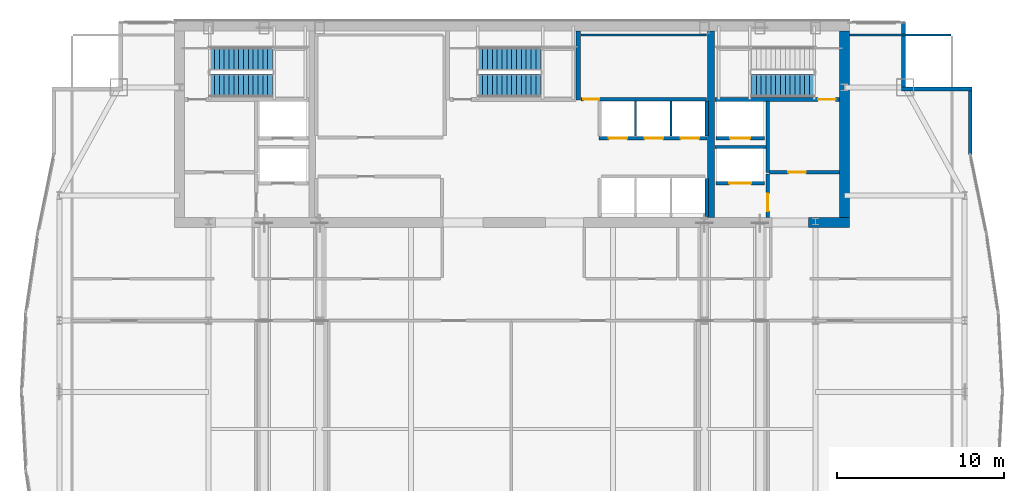
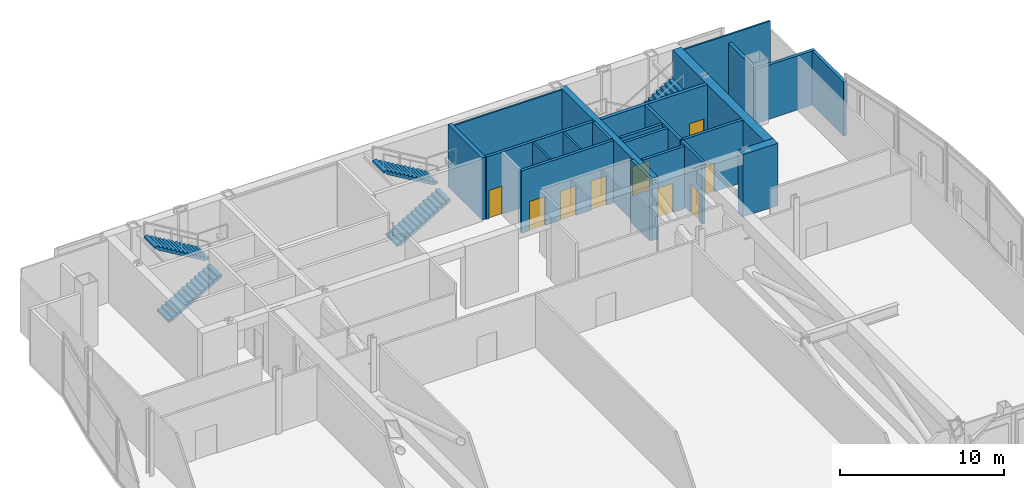
# One storey, part 29 of 32: 22 walls, 9 doors, 5 stair flights, 9 openings, 3 elements without a shape of their own.
"""IFC4 building model written with IfcOpenShell, lengths in metres."""

from ifc_helpers import new_model, si_unit, direction, frame, frame_2d, origin, place, context, subcontext, project, spatial, polyline, rectangle, outline, extrude, material, layer, layer_set, type_object, element, fill, aggregate, save


model = new_model("IFC4")

# Units and contexts
model_context = context("Model", 3, precision=1e-05, world=origin(), true_north=direction((0.0, 1.0)))
body_context = subcontext(model_context, "Body", "Model", "MODEL_VIEW")
ifc_project = project(units=[si_unit("LENGTHUNIT", "METRE"), si_unit("AREAUNIT", "SQUARE_METRE"), si_unit("VOLUMEUNIT", "CUBIC_METRE"), si_unit("PLANEANGLEUNIT", "RADIAN"), si_unit("MASSUNIT", "GRAM", prefix="KILO")], contexts=[model_context])

# Site, building, storey
site_placement = place(None, origin())
site = spatial("IfcSite", under=ifc_project, at=site_placement, CompositionType="ELEMENT")
building_placement = place(site_placement, origin())
building = spatial("IfcBuilding", under=site, at=building_placement, Name="Khoronbel Lancet Exchange", CompositionType="ELEMENT")
storey_placement = place(building_placement, frame((0.0, 0.0, 257.0)))
storey = spatial("IfcBuildingStorey", under=building, at=storey_placement, Name="L66", CompositionType="ELEMENT", Elevation=257.0)

# Walls
ifc_material_1 = material(Name="Concrete C60/75", Category="concrete")
ifc_layer_1 = layer(ifc_material_1, 0.60009765625, Name="Concrete C60/75")
ifc_layer_set_1 = layer_set([ifc_layer_1], Name="Concrete C60/75")
wall_type_1 = type_object("IfcWallType", Name="WL-CW3", PredefinedType="SHEAR", material=ifc_layer_set_1)
wall_1_placement = place(storey_placement, frame((56.39990234375, 53.10009765625, 0.0), z_axis=(0.0, 0.0, 1.0), x_axis=(0.0, -1.0, 0.0)))
element("IfcWall", 1, at=wall_1_placement, inside=storey, type_object=wall_type_1, Name="Level L66 rear core east shear wall", PredefinedType="SHEAR", context=body_context, shape_type="SweptSolid", body=[
    extrude(rectangle(XDim=11.2001953125, YDim=0.60009765625, at=frame_2d((5.60009765625, 0.0))), origin(), (0.0, 0.0, 1.0), 4.639892578125),
])
wall_2_placement = place(storey_placement, frame((56.699951171875, 41.60009765625, 0.0), z_axis=(0.0, 0.0, 1.0), x_axis=(-1.0, 0.0, 0.0)))
element("IfcWall", 2, at=wall_2_placement, inside=storey, type_object=wall_type_1, Name="Level L66 rear core south shear wall pier P5", PredefinedType="SHEAR", context=body_context, shape_type="SweptSolid", body=[
    extrude(rectangle(XDim=2.449951171875, YDim=0.60009765625, at=frame_2d((1.22509765625, 0.0))), origin(), (0.0, 0.0, 1.0), 4.639892578125),
])
ifc_material_2 = material(Name="Precast concrete C40/50", Category="concrete")
ifc_layer_2 = layer(ifc_material_2, 0.25, Name="Precast concrete C40/50")
ifc_layer_set_2 = layer_set([ifc_layer_2], Name="Precast concrete C40/50")
wall_type_2 = type_object("IfcWallType", Name="WL-EXT250", PredefinedType="SOLIDWALL", material=ifc_layer_set_2)
wall_3_placement = place(storey_placement, frame((59.9599609375, 53.6298828125, 0.0), z_axis=(0.0, 0.0, 1.0), x_axis=(0.0, -1.0, 0.0)))
element("IfcWall", 3, at=wall_3_placement, inside=storey, type_object=wall_type_2, Name="Level L66 notched-corner limestone pier 14", PredefinedType="SOLIDWALL", context=body_context, shape_type="SweptSolid", body=[
    extrude(rectangle(XDim=3.909912109375, YDim=0.219970703125, at=frame_2d((1.955078125, 0.0))), origin(), (0.0, 0.0, 1.0), 4.030029296875),
])
wall_4_placement = place(storey_placement, frame((59.85009765625, 49.610107421875, 0.0), z_axis=(0.0, 0.0, 1.0), x_axis=(1.0, 0.0, 0.0)))
element("IfcWall", 4, at=wall_4_placement, inside=storey, type_object=wall_type_2, Name="Level L66 notched-corner limestone pier 15", PredefinedType="SOLIDWALL", context=body_context, shape_type="SweptSolid", body=[
    extrude(rectangle(XDim=4.219970703125, YDim=0.219970703125, at=frame_2d((2.10986328125, 0.0))), origin(), (0.0, 0.0, 1.0), 4.030029296875),
])
wall_5_placement = place(storey_placement, frame((63.9599609375, 49.5, 0.0), z_axis=(0.0, 0.0, 1.0), x_axis=(0.0, -1.0, 0.0)))
element("IfcWall", 5, at=wall_5_placement, inside=storey, type_object=wall_type_2, Name="Level L66 notched-corner limestone pier 16", PredefinedType="SOLIDWALL", context=body_context, shape_type="SweptSolid", body=[
    extrude(rectangle(XDim=3.8291015625, YDim=0.219970703125, at=frame_2d((1.91455078125, 0.0))), origin(), (0.0, 0.0, 1.0), 4.030029296875),
])
ifc_material_3 = material(Name="Acoustic Metal-Stud & Mineral-Wool Gypsum Partition 120 mm", Category="gypsum")
ifc_layer_3 = layer(ifc_material_3, 0.1201171875, Name="Acoustic Metal-Stud & Mineral-Wool Gypsum Partition 120 mm")
ifc_layer_set_3 = layer_set([ifc_layer_3], Name="Acoustic Metal-Stud & Mineral-Wool Gypsum Partition 120 mm")
wall_type_3 = type_object("IfcWallType", Name="WL-PRT120", PredefinedType="PARTITIONING", material=ifc_layer_set_3)
wall_6_placement = place(storey_placement, frame((56.699951171875, 52.840087890625, 0.0), z_axis=(0.0, 0.0, 1.0), x_axis=(1.0, 0.0, 0.0)))
element("IfcWall", 6, at=wall_6_placement, inside=storey, type_object=wall_type_3, Name="Level L66 interior partition PW-LIN-NE", PredefinedType="PARTITIONING", context=body_context, shape_type="SweptSolid", body=[
    extrude(rectangle(XDim=6.10498046875, YDim=0.1201171875, at=frame_2d((3.052490234375, 0.0))), origin(), (0.0, 0.0, 1.0), 4.639892578125),
])
ifc_material_4 = material(Name="Fire-Rated Metal-Stud & Mineral-Wool Gypsum Partition 120 mm", Category="gypsum")
ifc_layer_4 = layer(ifc_material_4, 0.1201171875, Name="Fire-Rated Metal-Stud & Mineral-Wool Gypsum Partition 120 mm")
ifc_layer_set_4 = layer_set([ifc_layer_4], Name="Fire-Rated Metal-Stud & Mineral-Wool Gypsum Partition 120 mm")
wall_type_4 = type_object("IfcWallType", Name="WL-PRT120F", PredefinedType="PARTITIONING", material=ifc_layer_set_4)
for number, where, z_axis, x_axis, name in (
    (7, (43.860107421875, 46.800048828125, 0.0), (0.0, 0.0, 1.0), (0.0, 1.0, 0.0), "Level L66 interior partition CW-PH-D1"),
    (8, (46.0, 46.800048828125, 0.0), (0.0, 0.0, 1.0), (0.0, 1.0, 0.0), "Level L66 interior partition CW-PH-D2"),
):
    element("IfcWall", number, at=place(storey_placement, frame(where, z_axis=z_axis, x_axis=x_axis)), inside=storey, type_object=wall_type_4, Name=name, PredefinedType="PARTITIONING", context=body_context, shape_type="SweptSolid", body=[
        extrude(rectangle(XDim=2.094970703125, YDim=0.1201171875, at=frame_2d((1.04736328125, 0.0))), origin(), (0.0, 0.0, 1.0), 4.639892578125),
    ])
wall_7_placement = place(storey_placement, frame((40.580078125, 52.860107421875, 0.0), z_axis=(0.0, 0.0, 1.0), x_axis=(1.0, 0.0, 0.0)))
element("IfcWall", 9, at=wall_7_placement, inside=storey, type_object=wall_type_4, Name="Level L66 interior partition CW-SUP-NE-N", PredefinedType="PARTITIONING", context=body_context, shape_type="SweptSolid", body=[
    extrude(rectangle(XDim=7.559814453125, YDim=0.1201171875, at=frame_2d((3.77978515625, 0.0))), origin(), (0.0, 0.0, 1.0), 4.639892578125),
])

# Wall, opening, door
ifc_material_5 = material(Name="Autoclaved Aerated Concrete Blockwork 200 mm", Category="masonry")
ifc_layer_5 = layer(ifc_material_5, 0.199951171875, Name="Autoclaved Aerated Concrete Blockwork 200 mm")
ifc_layer_set_5 = layer_set([ifc_layer_5], Name="Autoclaved Aerated Concrete Blockwork 200 mm")
wall_type_5 = type_object("IfcWallType", Name="WL-PRT200", PredefinedType="PARTITIONING", material=ifc_layer_set_5)
wall_8_placement = place(storey_placement, frame((51.610107421875, 43.949951171875, 0.0), z_axis=(0.0, 0.0, 1.0), x_axis=(-1.0, 0.0, 0.0)))
wall_8 = element("IfcWall", 10, at=wall_8_placement, inside=storey, type_object=wall_type_5, Name="Level L66 elevator hoistway landing front wall SVLE", PredefinedType="PARTITIONING", context=body_context, shape_type="SweptSolid", body=[
    extrude(rectangle(XDim=2.920166015625, YDim=0.199951171875, at=frame_2d((1.4599609375, 0.0))), origin(), (0.0, 0.0, 1.0), 4.639892578125),
])
opening_1_placement = place(wall_8_placement, frame((0.81005859375, 0.0, 0.0)))
opening_1 = element("IfcOpeningElement", 11, at=opening_1_placement, cuts=wall_8, Name="Opening LD-SVL2", PredefinedType="OPENING", context=body_context, shape_type="SweptSolid", body=[
    extrude(rectangle(XDim=1.300048828125, YDim=2.179931640625, at=frame_2d((0.64990234375, 1.08984375))), frame((0.0, 0.10986328125, 0.0), z_axis=(0.0, -1.0, 0.0), x_axis=(1.0, 0.0, 0.0)), (0.0, 0.0, 1.0), 0.219970703125),
])
ifc_material_6 = material(Name="Heavy-Duty Bi-Parting Goods Lift Landing Door", Category="steel")
door_type_1 = type_object("IfcDoorType", Name="DR-LD-SVL", OperationType="NOTDEFINED", PredefinedType="DOOR", material=ifc_material_6)
door_1_placement = place(opening_1_placement, origin())
door_1 = element("IfcDoor", 12, at=door_1_placement, inside=storey, type_object=door_type_1, Name="Elevator landing sliding door LD-SVL2 L66", OperationType="SLIDING_TO_LEFT", OverallHeight=2.179931640625, OverallWidth=1.300048828125, PredefinedType="DOOR", context=body_context, shape_type="SweptSolid", body=[
    extrude(rectangle(XDim=1.300048828125, YDim=2.179931640625, at=frame_2d((0.64990234375, 1.08984375))), frame((0.0, 0.02490234375, 0.0), z_axis=(0.0, -1.0, 0.0), x_axis=(1.0, 0.0, 0.0)), (0.0, 0.0, 1.0), 0.050048828125),
])
fill(opening_1, door_1)

wall_9_placement = place(storey_placement, frame((51.610107421875, 46.64990234375, 0.0), z_axis=(0.0, 0.0, 1.0), x_axis=(-1.0, 0.0, 0.0)))
wall_9 = element("IfcWall", 13, at=wall_9_placement, inside=storey, type_object=wall_type_5, Name="Level L66 elevator hoistway landing front wall FFLE", PredefinedType="PARTITIONING", context=body_context, shape_type="SweptSolid", body=[
    extrude(rectangle(XDim=2.920166015625, YDim=0.199951171875, at=frame_2d((1.4599609375, 0.0))), origin(), (0.0, 0.0, 1.0), 4.639892578125),
])
opening_2_placement = place(wall_9_placement, frame((0.860107421875, 0.0, 0.0)))
opening_2 = element("IfcOpeningElement", 14, at=opening_2_placement, cuts=wall_9, Name="Opening LD-FFL2", PredefinedType="OPENING", context=body_context, shape_type="SweptSolid", body=[
    extrude(rectangle(XDim=1.199951171875, YDim=2.179931640625, at=frame_2d((0.60009765625, 1.08984375))), frame((0.0, 0.10986328125, 0.0), z_axis=(0.0, -1.0, 0.0), x_axis=(1.0, 0.0, 0.0)), (0.0, 0.0, 1.0), 0.219970703125),
])
ifc_material_7 = material(Name="Fire-Rated Stainless Bi-Parting Firefighting Lift Door", Category="steel")
door_type_2 = type_object("IfcDoorType", Name="DR-LD-FFL", OperationType="NOTDEFINED", PredefinedType="DOOR", material=ifc_material_7)
door_2_placement = place(opening_2_placement, origin())
door_2 = element("IfcDoor", 15, at=door_2_placement, inside=storey, type_object=door_type_2, Name="Elevator landing sliding door LD-FFL2 L66", OperationType="SLIDING_TO_LEFT", OverallHeight=2.179931640625, OverallWidth=1.199951171875, PredefinedType="DOOR", context=body_context, shape_type="SweptSolid", body=[
    extrude(rectangle(XDim=1.199951171875, YDim=2.179931640625, at=frame_2d((0.60009765625, 1.08984375))), frame((0.0, 0.02490234375, 0.0), z_axis=(0.0, -1.0, 0.0), x_axis=(1.0, 0.0, 0.0)), (0.0, 0.0, 1.0), 0.050048828125),
])
fill(opening_2, door_2)

# Wall, openings, doors
wall_10_placement = place(storey_placement, frame((48.159912109375, 46.64990234375, 0.0), z_axis=(0.0, 0.0, 1.0), x_axis=(-1.0, 0.0, 0.0)))
wall_10 = element("IfcWall", 16, at=wall_10_placement, inside=storey, type_object=wall_type_5, Name="Level L66 elevator hoistway landing front wall PHE", PredefinedType="PARTITIONING", context=body_context, shape_type="SweptSolid", body=[
    extrude(rectangle(XDim=6.47998046875, YDim=0.199951171875, at=frame_2d((3.239990234375, 0.0))), origin(), (0.0, 0.0, 1.0), 4.639892578125),
])
opening_3_placement = place(wall_10_placement, frame((4.800048828125, 0.0, 0.0)))
opening_3 = element("IfcOpeningElement", 17, at=opening_3_placement, cuts=wall_10, Name="Opening LD-PH1", PredefinedType="OPENING", context=body_context, shape_type="SweptSolid", body=[
    extrude(rectangle(XDim=1.10009765625, YDim=2.179931640625, at=frame_2d((0.550048828125, 1.08984375))), frame((0.0, 0.10986328125, 0.0), z_axis=(0.0, -1.0, 0.0), x_axis=(1.0, 0.0, 0.0)), (0.0, 0.0, 1.0), 0.219970703125),
])
opening_4_placement = place(wall_10_placement, frame((2.639892578125, 0.0, 0.0)))
opening_4 = element("IfcOpeningElement", 18, at=opening_4_placement, cuts=wall_10, Name="Opening LD-PH2", PredefinedType="OPENING", context=body_context, shape_type="SweptSolid", body=[
    extrude(rectangle(XDim=1.10009765625, YDim=2.179931640625, at=frame_2d((0.550048828125, 1.08984375))), frame((0.0, 0.10986328125, 0.0), z_axis=(0.0, -1.0, 0.0), x_axis=(1.0, 0.0, 0.0)), (0.0, 0.0, 1.0), 0.219970703125),
])
opening_5_placement = place(wall_10_placement, frame((0.47998046875, 0.0, 0.0)))
opening_5 = element("IfcOpeningElement", 19, at=opening_5_placement, cuts=wall_10, Name="Opening LD-PH3", PredefinedType="OPENING", context=body_context, shape_type="SweptSolid", body=[
    extrude(rectangle(XDim=1.10009765625, YDim=2.179931640625, at=frame_2d((0.550048828125, 1.08984375))), frame((0.0, 0.10986328125, 0.0), z_axis=(0.0, -1.0, 0.0), x_axis=(1.0, 0.0, 0.0)), (0.0, 0.0, 1.0), 0.219970703125),
])
ifc_material_8 = material(Name="Brushed Bronze Bi-Parting Elevator Landing Door", Category="steel")
door_type_3 = type_object("IfcDoorType", Name="DR-LD-PAX", OperationType="NOTDEFINED", PredefinedType="DOOR", material=ifc_material_8)
door_3_placement = place(opening_3_placement, origin())
door_3 = element("IfcDoor", 20, at=door_3_placement, inside=storey, type_object=door_type_3, Name="Elevator landing sliding door LD-PH1 L66", OperationType="SLIDING_TO_LEFT", OverallHeight=2.179931640625, OverallWidth=1.10009765625, PredefinedType="DOOR", context=body_context, shape_type="SweptSolid", body=[
    extrude(rectangle(XDim=1.10009765625, YDim=2.179931640625, at=frame_2d((0.550048828125, 1.08984375))), frame((0.0, 0.02490234375, 0.0), z_axis=(0.0, -1.0, 0.0), x_axis=(1.0, 0.0, 0.0)), (0.0, 0.0, 1.0), 0.050048828125),
])
fill(opening_3, door_3)
door_4_placement = place(opening_4_placement, origin())
door_4 = element("IfcDoor", 21, at=door_4_placement, inside=storey, type_object=door_type_3, Name="Elevator landing sliding door LD-PH2 L66", OperationType="SLIDING_TO_LEFT", OverallHeight=2.179931640625, OverallWidth=1.10009765625, PredefinedType="DOOR", context=body_context, shape_type="SweptSolid", body=[
    extrude(rectangle(XDim=1.10009765625, YDim=2.179931640625, at=frame_2d((0.550048828125, 1.08984375))), frame((0.0, 0.02490234375, 0.0), z_axis=(0.0, -1.0, 0.0), x_axis=(1.0, 0.0, 0.0)), (0.0, 0.0, 1.0), 0.050048828125),
])
fill(opening_4, door_4)
door_5_placement = place(opening_5_placement, origin())
door_5 = element("IfcDoor", 22, at=door_5_placement, inside=storey, type_object=door_type_3, Name="Elevator landing sliding door LD-PH3 L66", OperationType="SLIDING_TO_LEFT", OverallHeight=2.179931640625, OverallWidth=1.10009765625, PredefinedType="DOOR", context=body_context, shape_type="SweptSolid", body=[
    extrude(rectangle(XDim=1.10009765625, YDim=2.179931640625, at=frame_2d((0.550048828125, 1.08984375))), frame((0.0, 0.02490234375, 0.0), z_axis=(0.0, -1.0, 0.0), x_axis=(1.0, 0.0, 0.0)), (0.0, 0.0, 1.0), 0.050048828125),
])
fill(opening_5, door_5)

# Wall
wall_11_placement = place(storey_placement, frame((51.800048828125, 44.60009765625, 0.0), z_axis=(0.0, 0.0, 1.0), x_axis=(0.0, 1.0, 0.0)))
element("IfcWall", 23, at=wall_11_placement, inside=storey, type_object=wall_type_5, Name="Level L66 interior partition CW-FFLE-W", PredefinedType="PARTITIONING", context=body_context, shape_type="SweptSolid", body=[
    extrude(rectangle(XDim=4.2998046875, YDim=0.199951171875, at=frame_2d((2.14990234375, 0.0))), origin(), (0.0, 0.0, 1.0), 4.639892578125),
])

# Wall, opening, door
wall_12_placement = place(storey_placement, frame((51.89990234375, 44.60009765625, 0.0), z_axis=(0.0, 0.0, 1.0), x_axis=(1.0, 0.0, 0.0)))
wall_12 = element("IfcWall", 24, at=wall_12_placement, inside=storey, type_object=wall_type_5, Name="Level L66 interior partition CW-FFLE-S", PredefinedType="PARTITIONING", context=body_context, shape_type="SweptSolid", body=[
    extrude(rectangle(XDim=4.2001953125, YDim=0.199951171875, at=frame_2d((2.10009765625, 0.0))), origin(), (0.0, 0.0, 1.0), 4.639892578125),
])
opening_6_placement = place(wall_12_placement, frame((1.14990234375, 0.0, 0.0)))
opening_6 = element("IfcOpeningElement", 25, at=opening_6_placement, cuts=wall_12, Name="Opening FD1", PredefinedType="OPENING", context=body_context, shape_type="SweptSolid", body=[
    extrude(rectangle(XDim=1.050048828125, YDim=2.14990234375, at=frame_2d((0.52490234375, 1.074951171875))), frame((0.0, 0.10986328125, 0.0), z_axis=(0.0, -1.0, 0.0), x_axis=(1.0, 0.0, 0.0)), (0.0, 0.0, 1.0), 0.219970703125),
])
ifc_material_9 = material(Name="Fire-Rated Painted Steel Door Assembly", Category="steel")
door_type_4 = type_object("IfcDoorType", Name="DR-FD1", OperationType="NOTDEFINED", PredefinedType="DOOR", material=ifc_material_9)
door_6_placement = place(opening_6_placement, origin())
door_6 = element("IfcDoor", 26, at=door_6_placement, inside=storey, type_object=door_type_4, Name="East firefighting lobby FD90S door L66-1", OperationType="SINGLE_SWING_LEFT", OverallHeight=2.14990234375, OverallWidth=1.050048828125, PredefinedType="DOOR", context=body_context, shape_type="SweptSolid", body=[
    extrude(rectangle(XDim=1.050048828125, YDim=2.14990234375, at=frame_2d((0.52490234375, 1.074951171875))), frame((0.0, 0.02490234375, 0.0), z_axis=(0.0, -1.0, 0.0), x_axis=(1.0, 0.0, 0.0)), (0.0, 0.0, 1.0), 0.050048828125),
])
fill(opening_6, door_6)

# Wall
wall_13_placement = place(storey_placement, frame((48.6298828125, 46.1201171875, 0.0), z_axis=(0.0, 0.0, 1.0), x_axis=(1.0, 0.0, 0.0)))
element("IfcWall", 27, at=wall_13_placement, inside=storey, type_object=wall_type_5, Name="Level L66 interior partition CW-FFL2-S", PredefinedType="PARTITIONING", context=body_context, shape_type="SweptSolid", body=[
    extrude(rectangle(XDim=3.070068359375, YDim=0.199951171875, at=frame_2d((1.53515625, 0.0))), origin(), (0.0, 0.0, 1.0), 4.639892578125),
])

# Wall, opening, door
wall_14_placement = place(storey_placement, frame((51.800048828125, 41.89990234375, 0.0), z_axis=(0.0, 0.0, 1.0), x_axis=(0.0, 1.0, 0.0)))
wall_14 = element("IfcWall", 28, at=wall_14_placement, inside=storey, type_object=wall_type_5, Name="Level L66 interior partition CW-SVLE-E", PredefinedType="PARTITIONING", context=body_context, shape_type="SweptSolid", body=[
    extrude(rectangle(XDim=2.59521484375, YDim=0.199951171875, at=frame_2d((1.297607421875, 0.0))), origin(), (0.0, 0.0, 1.0), 4.639892578125),
])
opening_7_placement = place(wall_14_placement, frame((0.3798828125, 0.0, 0.0)))
opening_7 = element("IfcOpeningElement", 29, at=opening_7_placement, cuts=wall_14, Name="Opening FD1", PredefinedType="OPENING", context=body_context, shape_type="SweptSolid", body=[
    extrude(rectangle(XDim=1.050048828125, YDim=2.14990234375, at=frame_2d((0.52490234375, 1.074951171875))), frame((0.0, 0.10986328125, 0.0), z_axis=(0.0, -1.0, 0.0), x_axis=(1.0, 0.0, 0.0)), (0.0, 0.0, 1.0), 0.219970703125),
])
door_7_placement = place(opening_7_placement, origin())
door_7 = element("IfcDoor", 30, at=door_7_placement, inside=storey, type_object=door_type_4, Name="East service lift lobby door L66-1", OperationType="SINGLE_SWING_RIGHT", OverallHeight=2.14990234375, OverallWidth=1.050048828125, PredefinedType="DOOR", context=body_context, shape_type="SweptSolid", body=[
    extrude(rectangle(XDim=1.050048828125, YDim=2.14990234375, at=frame_2d((0.52490234375, 1.074951171875))), frame((0.0, 0.02490234375, 0.0), z_axis=(0.0, -1.0, 0.0), x_axis=(1.0, 0.0, 0.0)), (0.0, 0.0, 1.0), 0.050048828125),
])
fill(opening_7, door_7)

# Walls
wall_15_placement = place(storey_placement, frame((48.139892578125, 46.800048828125, 0.0), z_axis=(0.0, 0.0, 1.0), x_axis=(0.0, 1.0, 0.0)))
element("IfcWall", 31, at=wall_15_placement, inside=storey, type_object=wall_type_5, Name="Level L66 interior partition CW-PH-E", PredefinedType="PARTITIONING", context=body_context, shape_type="SweptSolid", body=[
    extrude(rectangle(XDim=2.094970703125, YDim=0.199951171875, at=frame_2d((1.04736328125, 0.0))), origin(), (0.0, 0.0, 1.0), 4.639892578125),
])
wall_16_placement = place(storey_placement, frame((48.139892578125, 41.949951171875, 0.0), z_axis=(0.0, 0.0, 1.0), x_axis=(0.0, 1.0, 0.0)))
element("IfcWall", 32, at=wall_16_placement, inside=storey, type_object=wall_type_5, Name="Level L66 interior partition CW-PX-E", PredefinedType="PARTITIONING", context=body_context, shape_type="SweptSolid", body=[
    extrude(rectangle(XDim=2.295166015625, YDim=0.199951171875, at=frame_2d((1.1474609375, 0.0))), origin(), (0.0, 0.0, 1.0), 4.639892578125),
])

# Wall, opening, door
wall_17_placement = place(storey_placement, frame((40.580078125, 49.0, 0.0), z_axis=(0.0, 0.0, 1.0), x_axis=(1.0, 0.0, 0.0)))
wall_17 = element("IfcWall", 33, at=wall_17_placement, inside=storey, type_object=wall_type_5, Name="Level L66 interior partition CW-SUP-NE-S", PredefinedType="PARTITIONING", context=body_context, shape_type="SweptSolid", body=[
    extrude(rectangle(XDim=7.559814453125, YDim=0.199951171875, at=frame_2d((3.77978515625, 0.0))), origin(), (0.0, 0.0, 1.0), 4.639892578125),
])
opening_8_placement = place(wall_17_placement, frame((0.159912109375, 0.0, 0.0)))
opening_8 = element("IfcOpeningElement", 34, at=opening_8_placement, cuts=wall_17, Name="Opening FD3", PredefinedType="OPENING", context=body_context, shape_type="SweptSolid", body=[
    extrude(rectangle(XDim=0.949951171875, YDim=2.10009765625, at=frame_2d((0.47509765625, 1.050048828125))), frame((0.0, 0.10986328125, 0.0), z_axis=(0.0, -1.0, 0.0), x_axis=(1.0, 0.0, 0.0)), (0.0, 0.0, 1.0), 0.219970703125),
])
ifc_material_10 = material(Name="Fire-Rated Steel Plant & Riser Door Assembly", Category="steel")
door_type_5 = type_object("IfcDoorType", Name="DR-FD3", OperationType="NOTDEFINED", PredefinedType="DOOR", material=ifc_material_10)
door_8_placement = place(opening_8_placement, origin())
door_8 = element("IfcDoor", 35, at=door_8_placement, inside=storey, type_object=door_type_5, Name="Core NE support room door L66-1", OperationType="SINGLE_SWING_LEFT", OverallHeight=2.10009765625, OverallWidth=0.949951171875, PredefinedType="DOOR", context=body_context, shape_type="SweptSolid", body=[
    extrude(rectangle(XDim=0.949951171875, YDim=2.10009765625, at=frame_2d((0.47509765625, 1.050048828125))), frame((0.0, 0.02490234375, 0.0), z_axis=(0.0, -1.0, 0.0), x_axis=(1.0, 0.0, 0.0)), (0.0, 0.0, 1.0), 0.050048828125),
])
fill(opening_8, door_8)

# Walls
ifc_layer_6 = layer(ifc_material_1, 0.39990234375, Name="Concrete C60/75")
ifc_layer_set_6 = layer_set([ifc_layer_6], Name="Concrete C60/75")
wall_type_6 = type_object("IfcWallType", Name="WL-SW2", PredefinedType="SHEAR", material=ifc_layer_set_6)
wall_18_placement = place(storey_placement, frame((48.39990234375, 41.89990234375, 0.0), z_axis=(0.0, 0.0, 1.0), x_axis=(0.0, 1.0, 0.0)))
element("IfcWall", 36, at=wall_18_placement, inside=storey, type_object=wall_type_6, Name="Level L66 rear core internal spine shear wall IE", PredefinedType="SHEAR", context=body_context, shape_type="SweptSolid", body=[
    extrude(rectangle(XDim=11.2001953125, YDim=0.39990234375, at=frame_2d((5.60009765625, 0.0))), origin(), (0.0, 0.0, 1.0), 4.639892578125),
])
ifc_layer_7 = layer(ifc_material_1, 0.260009765625, Name="Concrete C60/75")
ifc_layer_set_7 = layer_set([ifc_layer_7], Name="Concrete C60/75")
wall_type_7 = type_object("IfcWallType", Name="WL-SW3", PredefinedType="SHEAR", material=ifc_layer_set_7)
wall_19_placement = place(storey_placement, frame((40.419921875, 48.949951171875, 0.0), z_axis=(0.0, 0.0, 1.0), x_axis=(0.0, 1.0, 0.0)))
element("IfcWall", 37, at=wall_19_placement, inside=storey, type_object=wall_type_7, Name="Level L66 central stairwell structural shear wall ST3E", PredefinedType="SHEAR", context=body_context, shape_type="SweptSolid", body=[
    extrude(rectangle(XDim=4.150146484375, YDim=0.260009765625, at=frame_2d((2.0751953125, 0.0))), origin(), (0.0, 0.0, 1.0), 4.639892578125),
])

# Wall, opening, door
wall_20_placement = place(storey_placement, frame((48.6298828125, 48.97998046875, 0.0), z_axis=(0.0, 0.0, 1.0), x_axis=(1.0, 0.0, 0.0)))
wall_20 = element("IfcWall", 38, at=wall_20_placement, inside=storey, type_object=wall_type_7, Name="Level L66 east stairwell structural south wall", PredefinedType="SHEAR", context=body_context, shape_type="SweptSolid", body=[
    extrude(rectangle(XDim=7.47021484375, YDim=0.239990234375, at=frame_2d((3.735107421875, 0.0))), origin(), (0.0, 0.0, 1.0), 4.639892578125),
])
opening_9_placement = place(wall_20_placement, frame((6.199951171875, 0.0, 0.0)))
opening_9 = element("IfcOpeningElement", 39, at=opening_9_placement, cuts=wall_20, Name="Opening SD1", PredefinedType="OPENING", context=body_context, shape_type="SweptSolid", body=[
    extrude(rectangle(XDim=1.050048828125, YDim=2.14990234375, at=frame_2d((0.52490234375, 1.074951171875))), frame((0.0, 0.1298828125, 0.0), z_axis=(0.0, -1.0, 0.0), x_axis=(1.0, 0.0, 0.0)), (0.0, 0.0, 1.0), 0.260009765625),
])
ifc_material_11 = material(Name="Fire-Rated Steel Stairwell Door Assembly", Category="steel")
door_type_6 = type_object("IfcDoorType", Name="DR-SD1", OperationType="NOTDEFINED", PredefinedType="DOOR", material=ifc_material_11)
door_9_placement = place(opening_9_placement, origin())
door_9 = element("IfcDoor", 40, at=door_9_placement, inside=storey, type_object=door_type_6, Name="Protected exit stair ST2 door L66", OperationType="SINGLE_SWING_RIGHT", OverallHeight=2.14990234375, OverallWidth=1.050048828125, PredefinedType="DOOR", context=body_context, shape_type="SweptSolid", body=[
    extrude(rectangle(XDim=1.050048828125, YDim=2.14990234375, at=frame_2d((0.52490234375, 1.074951171875))), frame((0.0, 0.02490234375, 0.0), z_axis=(0.0, -1.0, 0.0), x_axis=(1.0, 0.0, 0.0)), (0.0, 0.0, 1.0), 0.050048828125),
])
fill(opening_9, door_9)

# Stair, stair flights
ifc_material_12 = material(Name="Concrete C40/50", Category="concrete")
stair_type = type_object("IfcStairType", Name="STR-CORE150", PredefinedType="HALF_TURN_STAIR", material=ifc_material_12)
stair_1_placement = place(storey_placement, origin())
stair_1 = element("IfcStair", 41, at=stair_1_placement, inside=storey, type_object=stair_type, Name="L66 Protected Exit Stair ST1", PredefinedType="HALF_TURN_STAIR")
stair_flight_type = type_object("IfcStairFlightType", Name="STF-150", PredefinedType="STRAIGHT", material=ifc_material_12)
stair_flight_1_placement = place(storey_placement, frame((18.300048828125, 49.81005859375, 0.0), z_axis=(0.0, 0.0, 1.0), x_axis=(1.0, 0.0, 0.0)))
stair_flight_1 = element("IfcStairFlight", 42, at=stair_flight_1_placement, type_object=stair_flight_type, Name="ST1 flight 1", NumberOfRisers=14, NumberOfTreads=13, PredefinedType="STRAIGHT", RiserHeight=0.171428571, TreadLength=0.29, context=body_context, shape_type="SweptSolid", body=[
    extrude(outline(polyline([(0.0, 0.0), (0.0, 0.17138671875), (0.2900390625, 0.17138671875), (0.2900390625, 0.3427734375), (0.580078125, 0.3427734375), (0.580078125, 0.514404296875), (0.8701171875, 0.514404296875), (0.8701171875, 0.685791015625), (1.159912109375, 0.685791015625), (1.159912109375, 0.857177734375), (1.449951171875, 0.857177734375), (1.449951171875, 1.028564453125), (1.739990234375, 1.028564453125), (1.739990234375, 1.199951171875), (2.030029296875, 1.199951171875), (2.030029296875, 1.371337890625), (2.320068359375, 1.371337890625), (2.320068359375, 1.54296875), (2.610107421875, 1.54296875), (2.610107421875, 1.71435546875), (2.89990234375, 1.71435546875), (2.89990234375, 1.8857421875), (3.18994140625, 1.8857421875), (3.18994140625, 2.05712890625), (3.47998046875, 2.05712890625), (3.47998046875, 2.228515625), (3.77001953125, 2.228515625), (3.77001953125, 2.39990234375), (3.77001953125, 2.054443359375), (0.294677734375, 0.0), (0.0, 0.0)])), frame((0.0, 0.68994140625, 0.0), z_axis=(0.0, -1.0, 0.0), x_axis=(1.0, 0.0, 0.0)), (0.0, 0.0, 1.0), 1.3798828125),
])
stair_flight_2_placement = place(storey_placement, frame((22.070068359375, 51.409912109375, 2.39990234375), z_axis=(0.0, 0.0, 1.0), x_axis=(-1.0, 0.0, 0.0)))
stair_flight_2 = element("IfcStairFlight", 43, at=stair_flight_2_placement, type_object=stair_flight_type, Name="ST1 flight 2", NumberOfRisers=14, NumberOfTreads=13, PredefinedType="STRAIGHT", RiserHeight=0.171428571, TreadLength=0.29, context=body_context, shape_type="SweptSolid", body=[
    extrude(outline(polyline([(0.0, 0.0), (0.0, 0.17138671875), (0.2900390625, 0.17138671875), (0.2900390625, 0.3427734375), (0.580078125, 0.3427734375), (0.580078125, 0.514404296875), (0.8701171875, 0.514404296875), (0.8701171875, 0.685791015625), (1.159912109375, 0.685791015625), (1.159912109375, 0.857177734375), (1.449951171875, 0.857177734375), (1.449951171875, 1.028564453125), (1.739990234375, 1.028564453125), (1.739990234375, 1.199951171875), (2.030029296875, 1.199951171875), (2.030029296875, 1.371337890625), (2.320068359375, 1.371337890625), (2.320068359375, 1.54296875), (2.610107421875, 1.54296875), (2.610107421875, 1.71435546875), (2.89990234375, 1.71435546875), (2.89990234375, 1.8857421875), (3.18994140625, 1.8857421875), (3.18994140625, 2.05712890625), (3.47998046875, 2.05712890625), (3.47998046875, 2.228515625), (3.77001953125, 2.228515625), (3.77001953125, 2.39990234375), (3.77001953125, 2.054443359375), (0.294677734375, 0.0), (0.0, 0.0)])), frame((0.0, 0.68994140625, 0.0), z_axis=(0.0, -1.0, 0.0), x_axis=(1.0, 0.0, 0.0)), (0.0, 0.0, 1.0), 1.3798828125),
])
aggregate(stair_1, [stair_flight_1, stair_flight_2])

# Stair, stair flight
stair_2_placement = place(storey_placement, origin())
stair_2 = element("IfcStair", 44, at=stair_2_placement, inside=storey, type_object=stair_type, Name="L66 Protected Exit Stair ST2", PredefinedType="HALF_TURN_STAIR")
stair_flight_3_placement = place(storey_placement, frame((50.830078125, 49.81005859375, 2.39990234375), z_axis=(0.0, 0.0, 1.0), x_axis=(1.0, 0.0, 0.0)))
stair_flight_3 = element("IfcStairFlight", 45, at=stair_flight_3_placement, type_object=stair_flight_type, Name="ST2 flight 2", NumberOfRisers=14, NumberOfTreads=13, PredefinedType="STRAIGHT", RiserHeight=0.171428571, TreadLength=0.29, context=body_context, shape_type="SweptSolid", body=[
    extrude(outline(polyline([(0.0, 0.0), (0.0, 0.17138671875), (0.2900390625, 0.17138671875), (0.2900390625, 0.3427734375), (0.580078125, 0.3427734375), (0.580078125, 0.514404296875), (0.8701171875, 0.514404296875), (0.8701171875, 0.685791015625), (1.159912109375, 0.685791015625), (1.159912109375, 0.857177734375), (1.449951171875, 0.857177734375), (1.449951171875, 1.028564453125), (1.739990234375, 1.028564453125), (1.739990234375, 1.199951171875), (2.030029296875, 1.199951171875), (2.030029296875, 1.371337890625), (2.320068359375, 1.371337890625), (2.320068359375, 1.54296875), (2.610107421875, 1.54296875), (2.610107421875, 1.71435546875), (2.89990234375, 1.71435546875), (2.89990234375, 1.8857421875), (3.18994140625, 1.8857421875), (3.18994140625, 2.05712890625), (3.47998046875, 2.05712890625), (3.47998046875, 2.228515625), (3.77001953125, 2.228515625), (3.77001953125, 2.39990234375), (3.77001953125, 2.054443359375), (0.294677734375, 0.0), (0.0, 0.0)])), frame((0.0, 0.68994140625, 0.0), z_axis=(0.0, -1.0, 0.0), x_axis=(1.0, 0.0, 0.0)), (0.0, 0.0, 1.0), 1.3798828125),
])
aggregate(stair_2, [stair_flight_3])

# Stair, stair flights
stair_3_placement = place(storey_placement, origin())
stair_3 = element("IfcStair", 46, at=stair_3_placement, inside=storey, type_object=stair_type, Name="L66 Protected Exit Stair ST3", PredefinedType="HALF_TURN_STAIR")
stair_flight_4_placement = place(storey_placement, frame((34.39990234375, 49.81005859375, 0.0), z_axis=(0.0, 0.0, 1.0), x_axis=(1.0, 0.0, 0.0)))
stair_flight_4 = element("IfcStairFlight", 47, at=stair_flight_4_placement, type_object=stair_flight_type, Name="ST3 flight 1", NumberOfRisers=14, NumberOfTreads=13, PredefinedType="STRAIGHT", RiserHeight=0.171428571, TreadLength=0.29, context=body_context, shape_type="SweptSolid", body=[
    extrude(outline(polyline([(0.0, 0.0), (0.0, 0.17138671875), (0.2900390625, 0.17138671875), (0.2900390625, 0.3427734375), (0.580078125, 0.3427734375), (0.580078125, 0.514404296875), (0.8701171875, 0.514404296875), (0.8701171875, 0.685791015625), (1.159912109375, 0.685791015625), (1.159912109375, 0.857177734375), (1.449951171875, 0.857177734375), (1.449951171875, 1.028564453125), (1.739990234375, 1.028564453125), (1.739990234375, 1.199951171875), (2.030029296875, 1.199951171875), (2.030029296875, 1.371337890625), (2.320068359375, 1.371337890625), (2.320068359375, 1.54296875), (2.610107421875, 1.54296875), (2.610107421875, 1.71435546875), (2.89990234375, 1.71435546875), (2.89990234375, 1.8857421875), (3.18994140625, 1.8857421875), (3.18994140625, 2.05712890625), (3.47998046875, 2.05712890625), (3.47998046875, 2.228515625), (3.77001953125, 2.228515625), (3.77001953125, 2.39990234375), (3.77001953125, 2.054443359375), (0.294677734375, 0.0), (0.0, 0.0)])), frame((0.0, 0.68994140625, 0.0), z_axis=(0.0, -1.0, 0.0), x_axis=(1.0, 0.0, 0.0)), (0.0, 0.0, 1.0), 1.3798828125),
])
stair_flight_5_placement = place(storey_placement, frame((38.169921875, 51.409912109375, 2.39990234375), z_axis=(0.0, 0.0, 1.0), x_axis=(-1.0, 0.0, 0.0)))
stair_flight_5 = element("IfcStairFlight", 48, at=stair_flight_5_placement, type_object=stair_flight_type, Name="ST3 flight 2", NumberOfRisers=14, NumberOfTreads=13, PredefinedType="STRAIGHT", RiserHeight=0.171428571, TreadLength=0.29, context=body_context, shape_type="SweptSolid", body=[
    extrude(outline(polyline([(0.0, 0.0), (0.0, 0.17138671875), (0.2900390625, 0.17138671875), (0.2900390625, 0.3427734375), (0.580078125, 0.3427734375), (0.580078125, 0.514404296875), (0.8701171875, 0.514404296875), (0.8701171875, 0.685791015625), (1.159912109375, 0.685791015625), (1.159912109375, 0.857177734375), (1.449951171875, 0.857177734375), (1.449951171875, 1.028564453125), (1.739990234375, 1.028564453125), (1.739990234375, 1.199951171875), (2.030029296875, 1.199951171875), (2.030029296875, 1.371337890625), (2.320068359375, 1.371337890625), (2.320068359375, 1.54296875), (2.610107421875, 1.54296875), (2.610107421875, 1.71435546875), (2.89990234375, 1.71435546875), (2.89990234375, 1.8857421875), (3.18994140625, 1.8857421875), (3.18994140625, 2.05712890625), (3.47998046875, 2.05712890625), (3.47998046875, 2.228515625), (3.77001953125, 2.228515625), (3.77001953125, 2.39990234375), (3.77001953125, 2.054443359375), (0.294677734375, 0.0), (0.0, 0.0)])), frame((0.0, 0.68994140625, 0.0), z_axis=(0.0, -1.0, 0.0), x_axis=(1.0, 0.0, 0.0)), (0.0, 0.0, 1.0), 1.3798828125),
])
aggregate(stair_3, [stair_flight_4, stair_flight_5])

save(model, "model.ifc")
